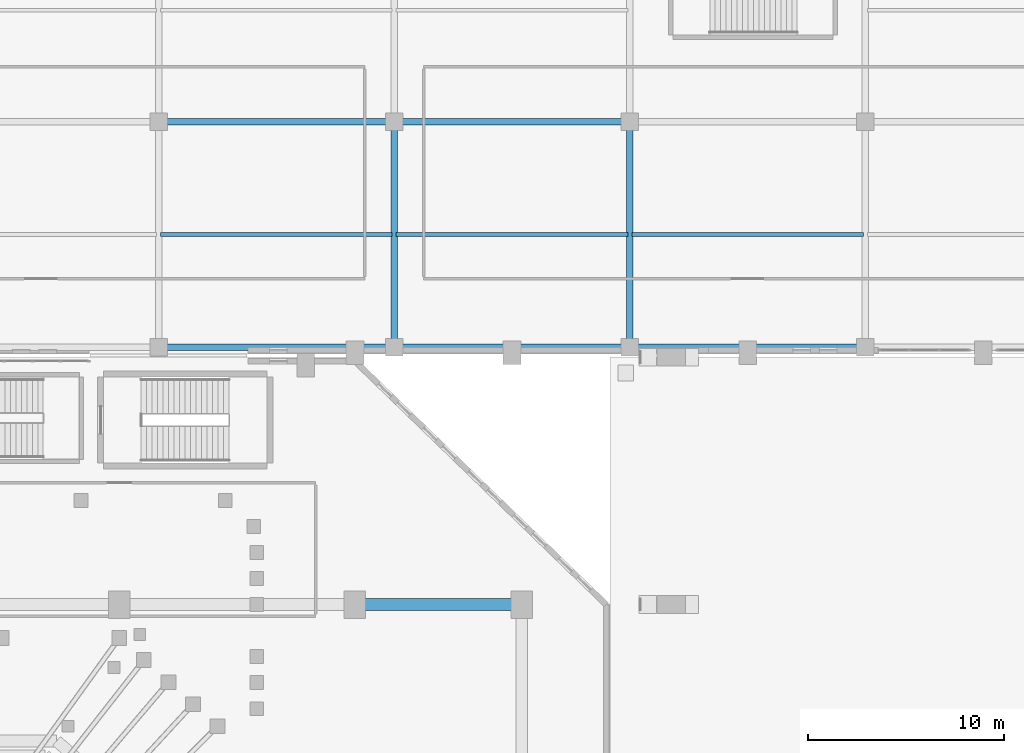
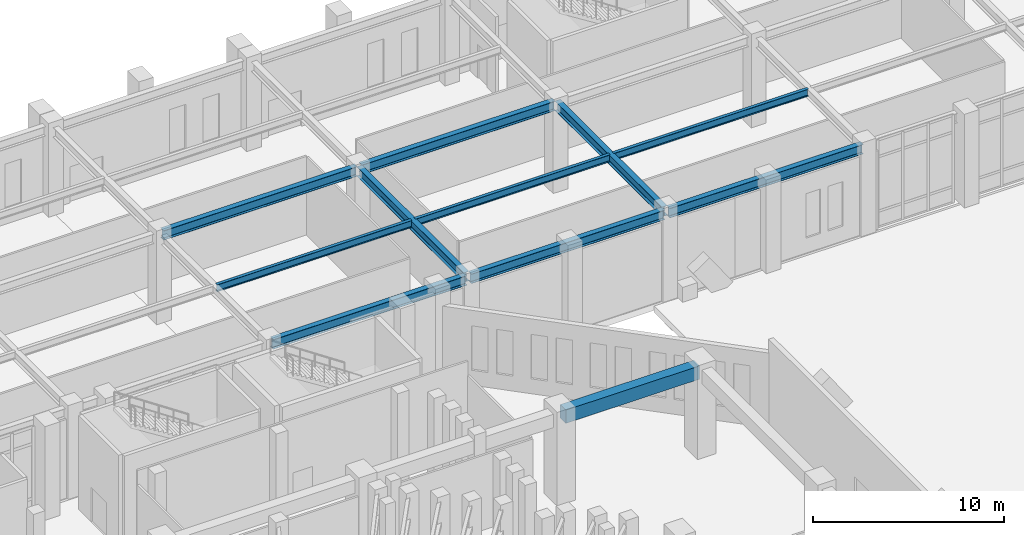
# One storey, part 53 of 143: 11 beams.
"""IFC4 building model written with IfcOpenShell, lengths in metres."""

from ifc_helpers import new_model, si_unit, derived_unit, direction, frame, origin, origin_2d, place, context, subcontext, project, spatial, rectangle, i_section, extrude, material, material_profile, profile_set, type_object, element, save


model = new_model("IFC4")

# Units and contexts
model_context = context("Model", 3, precision=1e-05, world=origin(), true_north=direction((0.0, 1.0)))
body_context = subcontext(model_context, "Body", "Model", "MODEL_VIEW")
ifc_project = project(units=[si_unit("LENGTHUNIT", "METRE"), si_unit("AREAUNIT", "SQUARE_METRE"), si_unit("VOLUMEUNIT", "CUBIC_METRE"), si_unit("PLANEANGLEUNIT", "RADIAN"), si_unit("MASSUNIT", "GRAM", prefix="KILO"), derived_unit("THERMALTRANSMITTANCEUNIT", [(si_unit("MASSUNIT", "GRAM", prefix="KILO"), 1), (si_unit("TIMEUNIT", "SECOND"), -3), (si_unit("THERMODYNAMICTEMPERATUREUNIT", "KELVIN"), -1)])], contexts=[model_context])

# Site, building, storey
site_placement = place(None, origin())
site = spatial("IfcSite", under=ifc_project, at=site_placement, CompositionType="ELEMENT")
building_placement = place(site_placement, origin())
building = spatial("IfcBuilding", under=site, at=building_placement, Name="Valcora Ridge Arena", CompositionType="ELEMENT")
storey_placement = place(building_placement, origin())
storey = spatial("IfcBuildingStorey", under=building, at=storey_placement, Name="L00", CompositionType="ELEMENT", Elevation=0.0)

# Beams
ifc_material_1 = material(Name="Concrete C40/50", Category="concrete")
ifc_material_profile_1 = material_profile(ifc_material_1, rectangle(XDim=0.60009765625, YDim=0.85009765625, at=origin_2d()), Name="RC 600x850")
ifc_profile_set_1 = profile_set([ifc_material_profile_1], Name="Concrete C40/50")
beam_type_1 = type_object("IfcBeamType", Name="TY-BEAM-EB-RC600", PredefinedType="BEAM", material=ifc_profile_set_1)
beam_placement = place(storey_placement, frame((94.199951171875, 95.60009765625, 5.215087890625), z_axis=(1.0, 0.0, 0.0), x_axis=(0.0, 1.0, 0.0)))
element("IfcBeam", 1, at=beam_placement, inside=storey, type_object=beam_type_1, Name="EB-RC600 BEM-EB-RC600-0016", PredefinedType="BEAM", context=body_context, shape_type="SweptSolid", body=[
    extrude(rectangle(XDim=0.60009765625, YDim=0.85009765625, at=origin_2d()), origin(), (0.0, 0.0, 1.0), 8.10009765625),
])
ifc_material_2 = material(Name="Steel ASTM A572 Grade 50", Category="steel")
ifc_material_profile_2 = material_profile(ifc_material_2, i_section(OverallWidth=0.324951171875, OverallDepth=0.612060546875, WebThickness=0.0126953125, FlangeThickness=0.01904296875, FilletRadius=0.01806640625, at=origin_2d()), Name="W24X104")
ifc_profile_set_2 = profile_set([ifc_material_profile_2], Name="Steel ASTM A572 Grade 50")
beam_type_2 = type_object("IfcBeamType", Name="TY-BEAM-G-W24X104-X", PredefinedType="BEAM", material=ifc_profile_set_2)
for number, where, z_axis, x_axis, name in (
    (2, (84.139892578125, 108.699951171875, 5.333984375), (1.0, 0.0, 0.0), (0.0, 1.0, 0.0), "G-W24X104-X BEM-G-W24X104-X-0009"),
    (3, (96.139892578125, 108.699951171875, 5.333984375), (1.0, 0.0, 0.0), (0.0, 1.0, 0.0), "G-W24X104-X BEM-G-W24X104-X-0010"),
    (4, (108.139892578125, 108.699951171875, 5.333984375), (1.0, 0.0, 0.0), (0.0, 1.0, 0.0), "G-W24X104-X BEM-G-W24X104-X-0011"),
    (5, (84.139892578125, 120.199951171875, 5.333984375), (1.0, 0.0, 0.0), (0.0, 1.0, 0.0), "G-W24X104-X BEM-G-W24X104-X-0023"),
    (6, (96.139892578125, 120.199951171875, 5.333984375), (1.0, 0.0, 0.0), (0.0, 1.0, 0.0), "G-W24X104-X BEM-G-W24X104-X-0024"),
):
    element("IfcBeam", number, at=place(storey_placement, frame(where, z_axis=z_axis, x_axis=x_axis)), inside=storey, type_object=beam_type_2, Name=name, PredefinedType="BEAM", context=body_context, shape_type="SweptSolid", body=[
        extrude(i_section(OverallWidth=0.324951171875, OverallDepth=0.612060546875, WebThickness=0.0126953125, FlangeThickness=0.01904296875, FilletRadius=0.01806640625, at=origin_2d()), origin(), (0.0, 0.0, 1.0), 11.72021484375),
    ])
ifc_material_profile_3 = material_profile(ifc_material_2, i_section(OverallWidth=0.324951171875, OverallDepth=0.612060546875, WebThickness=0.0126953125, FlangeThickness=0.01904296875, FilletRadius=0.01806640625, at=origin_2d()), Name="W24X104")
ifc_profile_set_3 = profile_set([ifc_material_profile_3], Name="Steel ASTM A572 Grade 50")
beam_type_3 = type_object("IfcBeamType", Name="TY-BEAM-G-W24X104-Y", PredefinedType="BEAM", material=ifc_profile_set_3)
for number, where, z_axis, x_axis, name in (
    (7, (96.0, 108.840087890625, 5.333984375), (0.0, 1.0, 0.0), (-1.0, 0.0, 0.0), "G-W24X104-Y BEM-G-W24X104-Y-0012"),
    (8, (108.0, 108.840087890625, 5.333984375), (0.0, 1.0, 0.0), (-1.0, 0.0, 0.0), "G-W24X104-Y BEM-G-W24X104-Y-0014"),
):
    element("IfcBeam", number, at=place(storey_placement, frame(where, z_axis=z_axis, x_axis=x_axis)), inside=storey, type_object=beam_type_3, Name=name, PredefinedType="BEAM", context=body_context, shape_type="SweptSolid", body=[
        extrude(i_section(OverallWidth=0.324951171875, OverallDepth=0.612060546875, WebThickness=0.0126953125, FlangeThickness=0.01904296875, FilletRadius=0.01806640625, at=origin_2d()), origin(), (0.0, 0.0, 1.0), 11.219970703125),
    ])
ifc_material_profile_4 = material_profile(ifc_material_2, i_section(OverallWidth=0.18994140625, OverallDepth=0.45703125, WebThickness=0.009033203125, FlangeThickness=0.014404296875, FilletRadius=0.014892578125, at=origin_2d()), Name="W18X50")
ifc_profile_set_4 = profile_set([ifc_material_profile_4], Name="Steel ASTM A572 Grade 50")
beam_type_4 = type_object("IfcBeamType", Name="TY-BEAM-J-W18X50", PredefinedType="JOIST", material=ifc_profile_set_4)
for number, where, z_axis, x_axis, name in (
    (9, (84.10009765625, 114.449951171875, 5.41162109375), (1.0, 0.0, 0.0), (0.0, 1.0, 0.0), "J-W18X50 BEM-J-W18X50-0007"),
    (10, (96.10009765625, 114.449951171875, 5.41162109375), (1.0, 0.0, 0.0), (0.0, 1.0, 0.0), "J-W18X50 BEM-J-W18X50-0009"),
    (11, (108.10009765625, 114.449951171875, 5.41162109375), (1.0, 0.0, 0.0), (0.0, 1.0, 0.0), "J-W18X50 BEM-J-W18X50-0011"),
):
    element("IfcBeam", number, at=place(storey_placement, frame(where, z_axis=z_axis, x_axis=x_axis)), inside=storey, type_object=beam_type_4, Name=name, PredefinedType="JOIST", context=body_context, shape_type="SweptSolid", body=[
        extrude(i_section(OverallWidth=0.18994140625, OverallDepth=0.45703125, WebThickness=0.009033203125, FlangeThickness=0.014404296875, FilletRadius=0.014892578125, at=origin_2d()), origin(), (0.0, 0.0, 1.0), 11.7998046875),
    ])

save(model, "model.ifc")
